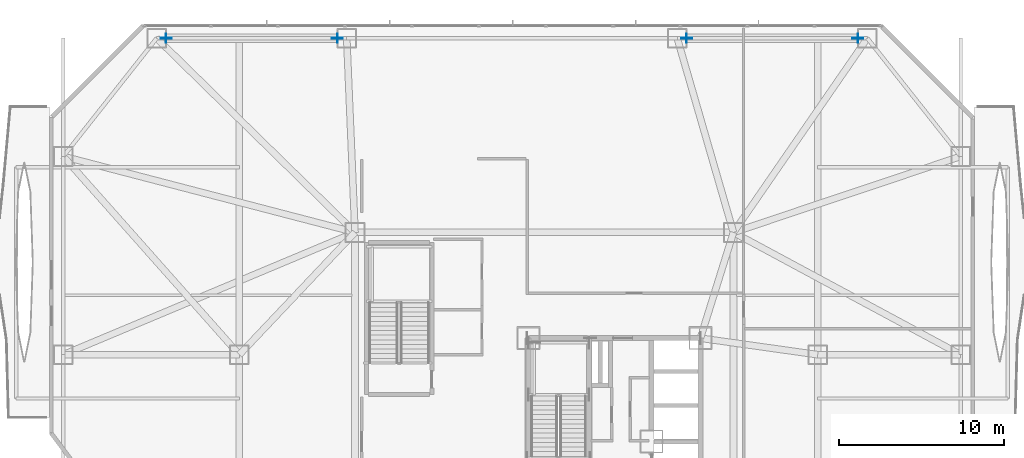
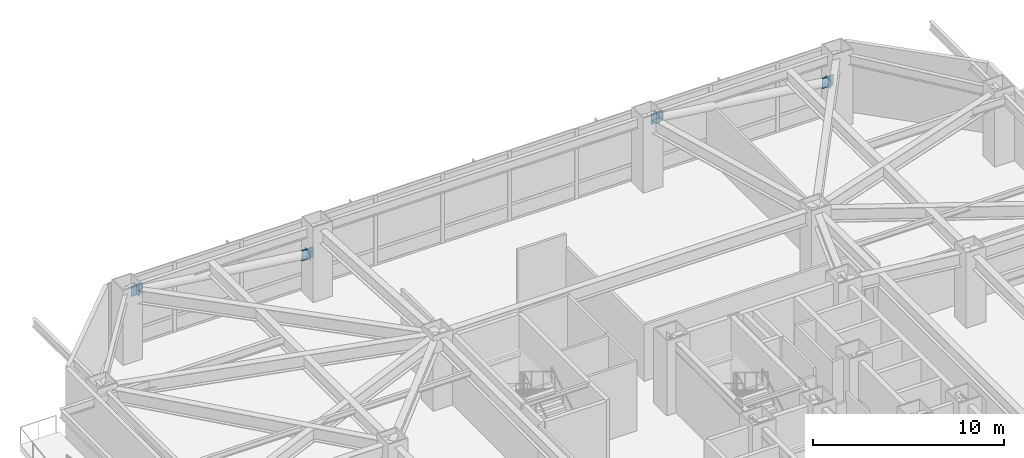
# One storey, part 22 of 33: 8 plates.
"""IFC4 building model written with IfcOpenShell, lengths in metres."""

from ifc_helpers import new_model, si_unit, direction, frame, origin, origin_2d, place, context, subcontext, project, spatial, rectangle, extrude, material, layer, layer_set, type_object, element, save


model = new_model("IFC4")

# Units and contexts
model_context = context("Model", 3, precision=1e-05, world=origin(), true_north=direction((0.0, 1.0)))
body_context = subcontext(model_context, "Body", "Model", "MODEL_VIEW")
ifc_project = project(units=[si_unit("LENGTHUNIT", "METRE"), si_unit("AREAUNIT", "SQUARE_METRE"), si_unit("VOLUMEUNIT", "CUBIC_METRE"), si_unit("PLANEANGLEUNIT", "RADIAN"), si_unit("MASSUNIT", "GRAM", prefix="KILO")], contexts=[model_context])

# Site, building, storey
site_placement = place(None, origin())
site = spatial("IfcSite", under=ifc_project, at=site_placement, CompositionType="ELEMENT")
building_placement = place(site_placement, origin())
building = spatial("IfcBuilding", under=site, at=building_placement, Name="Khamvora Tower", CompositionType="ELEMENT")
storey_placement = place(building_placement, frame((0.0, 0.0, 7.199951171875)))
storey = spatial("IfcBuildingStorey", under=building, at=storey_placement, Name="L01", CompositionType="ELEMENT", Elevation=7.199951171875)

# Plates
ifc_material_1 = material(Name="Steel S355", Category="steel")
ifc_layer_1 = layer(ifc_material_1, 0.02490234375)
ifc_layer_set_1 = layer_set([ifc_layer_1], Name="Steel S355")
plate_type_1 = type_object("IfcPlateType", Name="PL-CAP-25", PredefinedType="SHEET", material=ifc_layer_set_1)
for number, where, z_axis, x_axis, name in (
    (1, (17.43701171875, 55.14990234375, 2.46875), (0.0, 0.0, 1.0), (-1.0, 0.0, 0.0), "L01 hollow section steel end cap plate 0416"),
    (2, (7.06298828125, 55.14990234375, 3.81396484375), (0.0, 0.0, 1.0), (-1.0, 0.0, 0.0), "L01 hollow section steel end cap plate 0417"),
    (3, (48.93701171875, 55.14990234375, 2.46875), (0.0, 0.0, 1.0), (-1.0, 0.0, 0.0), "L01 hollow section steel end cap plate 0418"),
    (4, (38.56298828125, 55.14990234375, 3.81396484375), (0.0, 0.0, 1.0), (-1.0, 0.0, 0.0), "L01 hollow section steel end cap plate 0419"),
):
    element("IfcPlate", number, at=place(storey_placement, frame(where, z_axis=z_axis, x_axis=x_axis)), inside=storey, type_object=plate_type_1, Name=name, PredefinedType="SHEET", context=body_context, shape_type="SweptSolid", body=[
        extrude(rectangle(XDim=0.02490234375, YDim=0.568115234375, at=origin_2d()), origin(), (0.0, 0.0, 1.0), 0.568115234375),
    ])
ifc_material_2 = material(Name="Steel S460", Category="steel")
ifc_layer_2 = layer(ifc_material_2, 0.0400390625)
ifc_layer_set_2 = layer_set([ifc_layer_2], Name="Steel S460")
plate_type_2 = type_object("IfcPlateType", Name="PLT-GUS-40", PredefinedType="SHEET", material=ifc_layer_set_2)
for number, where, z_axis, x_axis, name in (
    (5, (17.425048828125, 55.14990234375, 2.4150390625), (0.0, 0.0, 1.0), (1.0, 0.0, 0.0), "L01 brace connection node gusset plate 0029"),
    (6, (7.074951171875, 55.14990234375, 3.755859375), (0.0, 0.0, 1.0), (1.0, 0.0, 0.0), "L01 brace connection node gusset plate 0030"),
    (7, (48.925048828125, 55.14990234375, 2.4150390625), (0.0, 0.0, 1.0), (1.0, 0.0, 0.0), "L01 brace connection node gusset plate 0031"),
    (8, (38.574951171875, 55.14990234375, 3.755859375), (0.0, 0.0, 1.0), (1.0, 0.0, 0.0), "L01 brace connection node gusset plate 0032"),
):
    element("IfcPlate", number, at=place(storey_placement, frame(where, z_axis=z_axis, x_axis=x_axis)), inside=storey, type_object=plate_type_2, Name=name, PredefinedType="SHEET", context=body_context, shape_type="SweptSolid", body=[
        extrude(rectangle(XDim=0.679931640625, YDim=0.0400390625, at=origin_2d()), origin(), (0.0, 0.0, 1.0), 0.679931640625),
    ])

save(model, "model.ifc")
